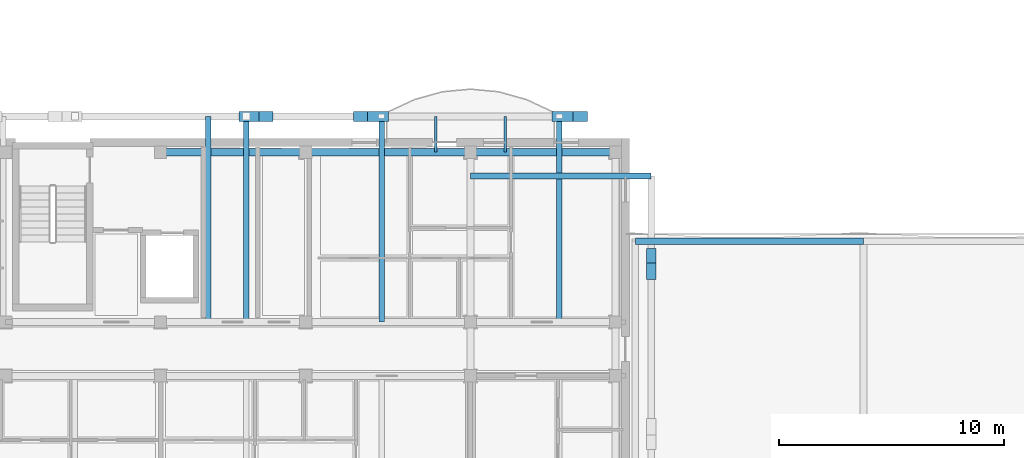
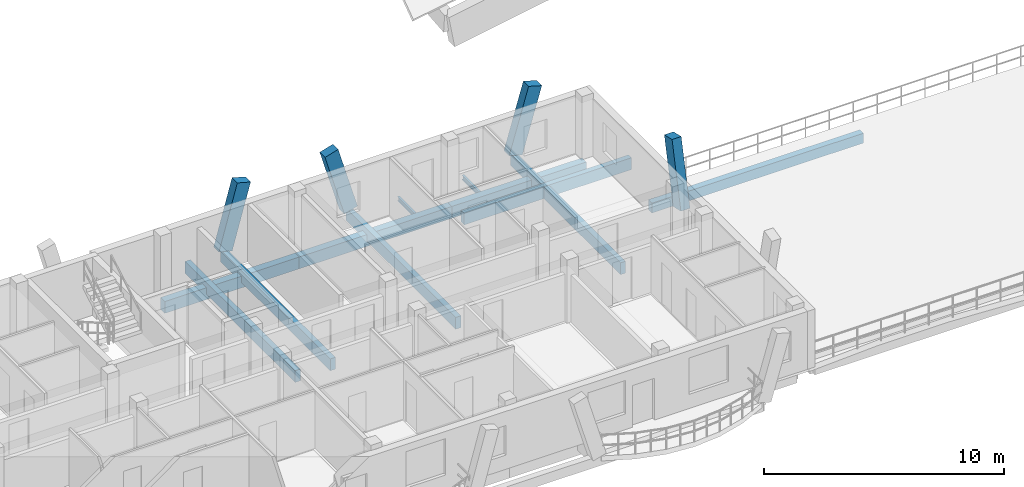
# One storey, part 14 of 109: 11 beams, 4 members.
"""IFC4 building model written with IfcOpenShell, lengths in metres."""

from ifc_helpers import new_model, si_unit, direction, frame, origin, origin_2d, place, context, subcontext, project, spatial, rectangle, i_section, extrude, material, material_profile, profile_set, type_object, element, save


model = new_model("IFC4")

# Units and contexts
model_context = context("Model", 3, precision=1e-05, world=origin(), true_north=direction((0.0, 1.0)))
body_context = subcontext(model_context, "Body", "Model", "MODEL_VIEW")
ifc_project = project(units=[si_unit("LENGTHUNIT", "METRE"), si_unit("AREAUNIT", "SQUARE_METRE"), si_unit("VOLUMEUNIT", "CUBIC_METRE"), si_unit("PLANEANGLEUNIT", "RADIAN"), si_unit("MASSUNIT", "GRAM", prefix="KILO")], contexts=[model_context])

# Site, building, storey
site_placement = place(None, origin())
site = spatial("IfcSite", under=ifc_project, at=site_placement, CompositionType="ELEMENT")
building_placement = place(site_placement, origin())
building = spatial("IfcBuilding", under=site, at=building_placement, Name="Zavelmont Quarter", CompositionType="ELEMENT")
storey_placement = place(building_placement, frame((0.0, 0.0, 8.0)))
storey = spatial("IfcBuildingStorey", under=building, at=storey_placement, Name="L02", CompositionType="ELEMENT", Elevation=8.0)

# Beams
ifc_material_1 = material(Name="Concrete C35/45", Category="concrete")
ifc_material_profile_1 = material_profile(ifc_material_1, rectangle(XDim=0.35009765625, YDim=0.60009765625, at=origin_2d()), Name="RC350X600")
ifc_profile_set_1 = profile_set([ifc_material_profile_1], Name="Concrete C35/45")
beam_type_1 = type_object("IfcBeamType", Name="BM01", PredefinedType="SPANDREL", material=ifc_profile_set_1)
beam_1_placement = place(storey_placement, frame((34.5, 17.9599609375, -0.570068359375), z_axis=(1.0, 0.0, 0.0), x_axis=(0.0, 1.0, 0.0)))
element("IfcBeam", 1, at=beam_1_placement, inside=storey, type_object=beam_type_1, Name="L02 beam BM01 6/D to 7/D", PredefinedType="SPANDREL", context=body_context, shape_type="SweptSolid", body=[
    extrude(rectangle(XDim=0.35009765625, YDim=0.60009765625, at=origin_2d()), origin(), (0.0, 0.0, 1.0), 6.4599609375),
])
beam_2_placement = place(storey_placement, frame((40.9599609375, 17.9599609375, -0.570068359375), z_axis=(1.0, 0.0, 0.0), x_axis=(0.0, 1.0, 0.0)))
element("IfcBeam", 2, at=beam_2_placement, inside=storey, type_object=beam_type_1, Name="L02 beam BM01 7/D to 8/D", PredefinedType="SPANDREL", context=body_context, shape_type="SweptSolid", body=[
    extrude(rectangle(XDim=0.35009765625, YDim=0.60009765625, at=origin_2d()), origin(), (0.0, 0.0, 1.0), 7.340087890625),
])
beam_3_placement = place(storey_placement, frame((48.300048828125, 17.9599609375, -0.570068359375), z_axis=(1.0, 0.0, 0.0), x_axis=(0.0, 1.0, 0.0)))
element("IfcBeam", 3, at=beam_3_placement, inside=storey, type_object=beam_type_1, Name="L02 beam BM01 8/D to 9/D", PredefinedType="SPANDREL", context=body_context, shape_type="SweptSolid", body=[
    extrude(rectangle(XDim=0.35009765625, YDim=0.60009765625, at=origin_2d()), origin(), (0.0, 0.0, 1.0), 6.4599609375),
])
ifc_material_profile_2 = material_profile(ifc_material_1, rectangle(XDim=0.300048828125, YDim=0.5, at=origin_2d()), Name="RC300X500")
ifc_profile_set_2 = profile_set([ifc_material_profile_2], Name="Concrete C35/45")
beam_type_2 = type_object("IfcBeamType", Name="BM03", PredefinedType="BEAM", material=ifc_profile_set_2)
beam_4_placement = place(storey_placement, frame((55.639892578125, 14.0, -0.5400390625), z_axis=(1.0, 0.0, 0.0), x_axis=(0.0, 1.0, 0.0)))
element("IfcBeam", 4, at=beam_4_placement, inside=storey, type_object=beam_type_2, Name="L02 beam BM03 9/C to 10/C", PredefinedType="BEAM", context=body_context, shape_type="SweptSolid", body=[
    extrude(rectangle(XDim=0.300048828125, YDim=0.5, at=origin_2d()), origin(), (0.0, 0.0, 1.0), 10.16015625),
])
ifc_material_2 = material(Name="Steel S355", Category="steel")
ifc_material_profile_3 = material_profile(ifc_material_2, i_section(OverallWidth=0.110107421875, OverallDepth=0.219970703125, WebThickness=0.005859375, FlangeThickness=0.00927734375, at=origin_2d()), Name="IPE 220")
ifc_profile_set_3 = profile_set([ifc_material_profile_3], Name="Steel S355")
beam_type_3 = type_object("IfcBeamType", Name="BM15", PredefinedType="JOIST", material=ifc_profile_set_3)
for number, where, z_axis, x_axis, name in (
    (5, (46.75, 17.9599609375, -0.382080078125), (0.0, 1.0, 0.0), (-1.0, 0.0, 0.0), "L02 beam BM15 8/D to 8/D"),
    (6, (49.85009765625, 17.9599609375, -0.382080078125), (0.0, 1.0, 0.0), (-1.0, 0.0, 0.0), "L02 beam BM15 8/D to 8/D"),
):
    element("IfcBeam", number, at=place(storey_placement, frame(where, z_axis=z_axis, x_axis=x_axis)), inside=storey, type_object=beam_type_3, Name=name, PredefinedType="JOIST", context=body_context, shape_type="SweptSolid", body=[
        extrude(i_section(OverallWidth=0.110107421875, OverallDepth=0.219970703125, WebThickness=0.005859375, FlangeThickness=0.00927734375, at=origin_2d()), origin(), (0.0, 0.0, 1.0), 1.590087890625),
    ])
ifc_material_3 = material(Name="Concrete C40/50", Category="concrete")
ifc_material_profile_4 = material_profile(ifc_material_3, rectangle(XDim=0.25, YDim=0.60009765625, at=origin_2d()), Name="RC250X600")
ifc_profile_set_4 = profile_set([ifc_material_profile_4], Name="Concrete C40/50")
beam_type_4 = type_object("IfcBeamType", Name="BM18", PredefinedType="BEAM", material=ifc_profile_set_4)
for number, where, z_axis, x_axis, name in (
    (7, (36.625, 10.39990234375, -0.300048828125), (0.0, 1.0, 0.0), (-1.0, 0.0, 0.0), "L02 beam BM18 6/C to 6/D"),
    (8, (38.314208984375, 10.39990234375, -0.300048828125), (0.0, 1.0, 0.0), (-1.0, 0.0, 0.0), "L02 beam BM18 7/C to 7/D"),
    (9, (44.341552734375, 10.39990234375, -0.300048828125), (0.0, 1.0, 0.0), (-1.0, 0.0, 0.0), "L02 beam BM18 7/C to 7/D"),
    (10, (52.258544921875, 10.39990234375, -0.300048828125), (0.0, 1.0, 0.0), (-1.0, 0.0, 0.0), "L02 beam BM18 9/C to 9/D"),
):
    element("IfcBeam", number, at=place(storey_placement, frame(where, z_axis=z_axis, x_axis=x_axis)), inside=storey, type_object=beam_type_4, Name=name, PredefinedType="BEAM", context=body_context, shape_type="SweptSolid", body=[
        extrude(rectangle(XDim=0.25, YDim=0.60009765625, at=origin_2d()), origin(), (0.0, 0.0, 1.0), 9.150146484375),
    ])
beam_5_placement = place(storey_placement, frame((48.300048828125, 16.89990234375, -0.300048828125), z_axis=(1.0, 0.0, 0.0), x_axis=(0.0, 1.0, 0.0)))
element("IfcBeam", 11, at=beam_5_placement, inside=storey, type_object=beam_type_4, Name="L02 beam BM18 8/D to 9/D", PredefinedType="BEAM", context=body_context, shape_type="SweptSolid", body=[
    extrude(rectangle(XDim=0.25, YDim=0.60009765625, at=origin_2d()), origin(), (0.0, 0.0, 1.0), 8.050048828125),
])

# Members
ifc_material_4 = material(Name="White architectural precast concrete C40/50", Category="concrete")
ifc_material_profile_5 = material_profile(ifc_material_4, rectangle(XDim=0.43994140625, YDim=0.659912109375, at=origin_2d()), Name="PCR320X480")
ifc_profile_set_5 = profile_set([ifc_material_profile_5], Name="White architectural precast concrete C40/50")
member_type = type_object("IfcMemberType", Name="VR01M", PredefinedType="CHORD", material=ifc_profile_set_5)
member_1_placement = place(storey_placement, frame((38.314208984375, 19.550048828125, 0.0), z_axis=(0.265947852247, 0.0, 0.963987416871), x_axis=(0.0, 1.0, 0.0)))
element("IfcMember", 12, at=member_1_placement, inside=storey, type_object=member_type, Name="L02 member VR01M 7/D to 7/D", PredefinedType="CHORD", context=body_context, shape_type="SweptSolid", body=[
    extrude(rectangle(XDim=0.43994140625, YDim=0.659912109375, at=origin_2d()), origin(), (0.0, 0.0, 1.0), 3.319580078125),
])
for number, where, z_axis, x_axis, name in (
    (13, (44.341552734375, 19.550048828125, 0.0), (-0.280143430311, 0.0, 0.959958154533), (0.0, -1.0, 0.0), "L02 member VR01M 7/D to 7/D"),
    (14, (52.258544921875, 19.550048828125, 0.0), (0.280143430311, 0.0, 0.959958154533), (0.0, 1.0, 0.0), "L02 member VR01M 9/D to 9/D"),
):
    element("IfcMember", number, at=place(storey_placement, frame(where, z_axis=z_axis, x_axis=x_axis)), inside=storey, type_object=member_type, Name=name, PredefinedType="CHORD", context=body_context, shape_type="SweptSolid", body=[
        extrude(rectangle(XDim=0.43994140625, YDim=0.659912109375, at=origin_2d()), origin(), (0.0, 0.0, 1.0), 3.33349609375),
    ])
member_2_placement = place(storey_placement, frame((56.35009765625, 12.612060546875, 0.0), z_axis=(0.0, 0.225022379858, 0.974353595243), x_axis=(-1.0, 0.0, 0.0)))
element("IfcMember", 15, at=member_2_placement, inside=storey, type_object=member_type, Name="L02 member VR01M 9/C to 9/C", PredefinedType="CHORD", context=body_context, shape_type="SweptSolid", body=[
    extrude(rectangle(XDim=0.43994140625, YDim=0.659912109375, at=origin_2d()), origin(), (0.0, 0.0, 1.0), 3.2841796875),
])

save(model, "model.ifc")
